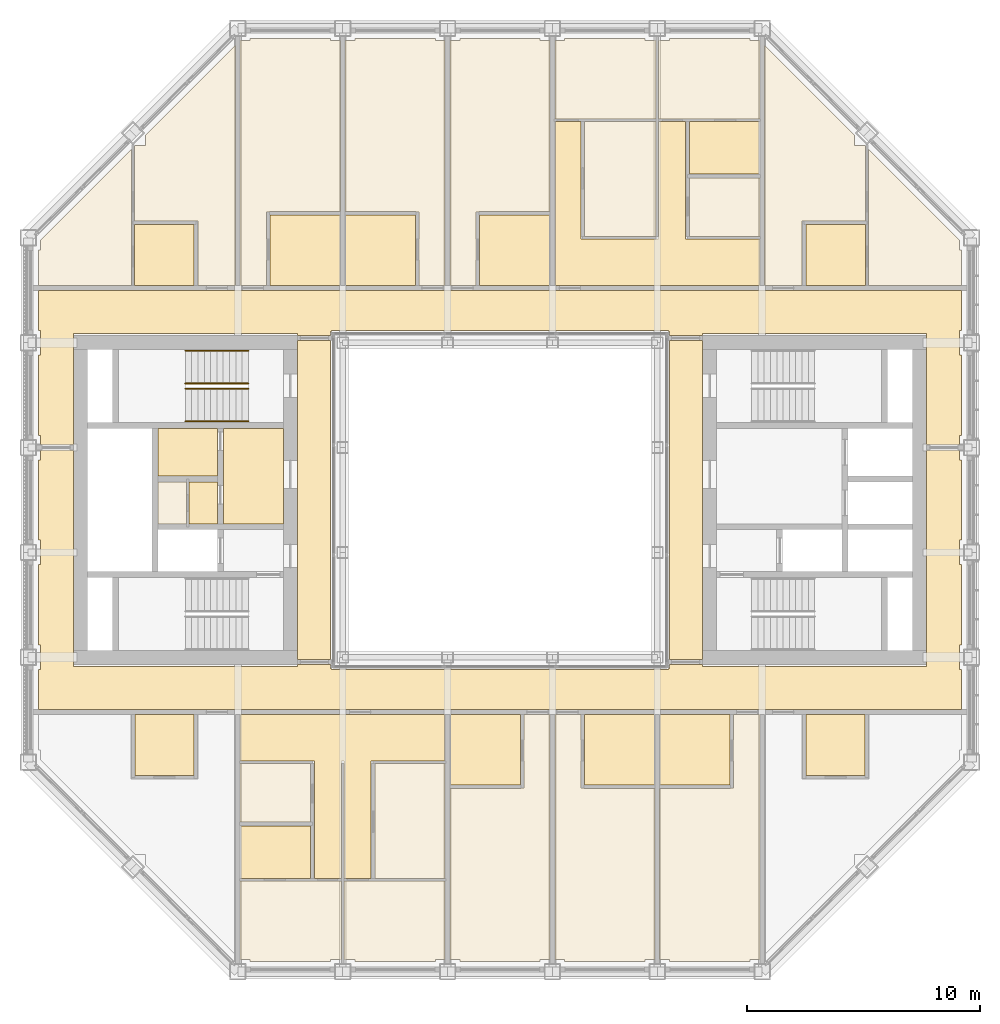
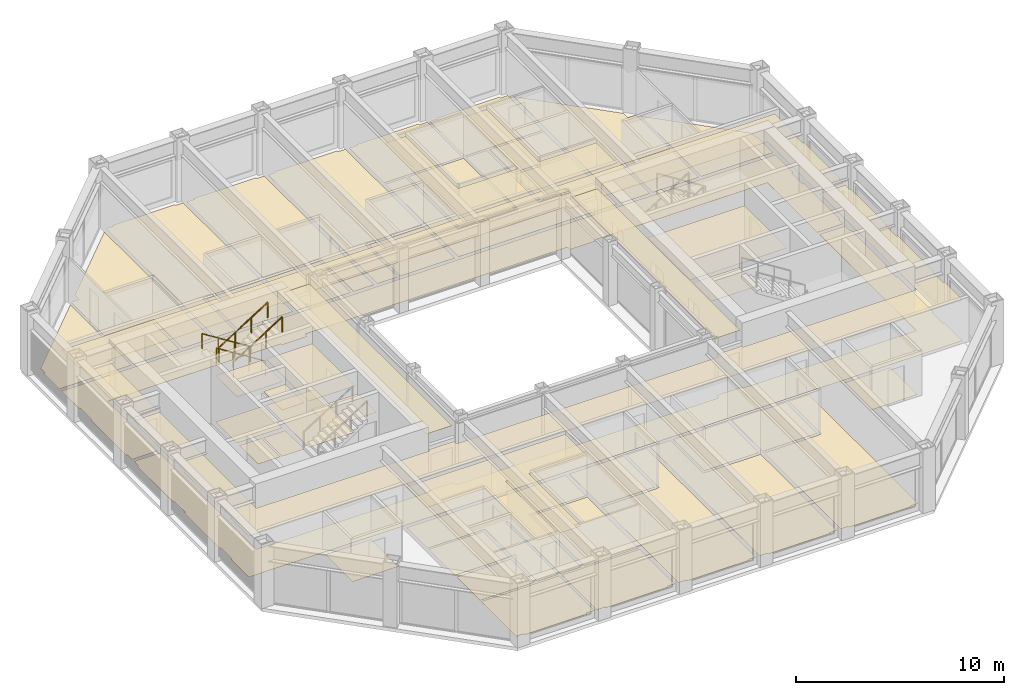
# One storey, part 16 of 18: 6 coverings, 4 railings.
"""IFC4 building model written with IfcOpenShell, lengths in metres."""

from ifc_helpers import new_model, si_unit, direction, frame, origin, origin_2d, place, context, subcontext, project, spatial, line, indexed_curve, circle, outline, extrude, material, layer, layer_set, type_object, element, save


model = new_model("IFC4")

# Units and contexts
model_context = context("Model", 3, precision=1e-05, world=origin(), true_north=direction((0.0, 1.0)))
body_context = subcontext(model_context, "Body", "Model", "MODEL_VIEW")
ifc_project = project(units=[si_unit("LENGTHUNIT", "METRE"), si_unit("AREAUNIT", "SQUARE_METRE"), si_unit("VOLUMEUNIT", "CUBIC_METRE"), si_unit("PLANEANGLEUNIT", "RADIAN"), si_unit("MASSUNIT", "GRAM", prefix="KILO")], contexts=[model_context])

# Site, building, storey
site_placement = place(None, origin())
site = spatial("IfcSite", under=ifc_project, at=site_placement, CompositionType="ELEMENT")
building_placement = place(site_placement, origin())
building = spatial("IfcBuilding", under=site, at=building_placement, Name="Msasa Ring Tower", CompositionType="ELEMENT")
storey_placement = place(building_placement, frame((0.0, 0.0, 223.300048828125)))
storey = spatial("IfcBuildingStorey", under=building, at=storey_placement, Name="L58", CompositionType="ELEMENT", Elevation=223.300048828125)

# Coverings
ifc_material_1 = material(Name="Gypsum plasterboard on a steel suspension grid", Category="steel")
ifc_layer_1 = layer(ifc_material_1, 0.014892578125)
ifc_layer_set_1 = layer_set([ifc_layer_1], Name="C1 SUSPENDED PLASTERBOARD CEILING 15")
covering_type_1 = type_object("IfcCoveringType", Name="C1 SUSPENDED PLASTERBOARD CEILING 15", PredefinedType="CEILING", material=ifc_layer_set_1)
covering_1_placement = place(storey_placement, frame((0.0, 0.0, 2.39990234375)))
element("IfcCovering", 1, at=covering_1_placement, inside=storey, type_object=covering_type_1, Name="Suspended Plasterboard Ceiling 15 circulation L58", PredefinedType="CEILING", context=body_context, shape_type="SweptSolid", body=[
    extrude(outline(indexed_curve([(8.699462890625, -7.150390625), (18.300537109375, -7.150390625), (18.300537109375, 2.1494140625), (19.724609375, 2.1494140625), (19.724609375, 1.724609375), (19.799560546875, 1.724609375), (19.799560546875, -1.724609375), (19.724609375, -1.724609375), (19.724609375, -2.775390625), (19.799560546875, -2.775390625), (19.799560546875, -6.224609375), (19.724609375, -6.224609375), (19.724609375, -7.275390625), (19.799560546875, -7.275390625), (19.799560546875, -8.99951171875), (-19.799560546875, -8.99951171875), (-19.799560546875, -7.275390625), (-19.724609375, -7.275390625), (-19.724609375, -6.224609375), (-19.799560546875, -6.224609375), (-19.799560546875, -2.775390625), (-19.724609375, -2.775390625), (-19.724609375, -1.724609375), (-19.799560546875, -1.724609375), (-19.799560546875, 1.724609375), (-19.724609375, 1.724609375), (-19.724609375, 2.1494140625), (-18.300537109375, 2.1494140625), (-18.300537109375, -7.150390625), (-8.699462890625, -7.150390625), (-8.699462890625, -7.050537109375), (-7.280029296875, -7.050537109375), (-7.280517578125, -7.23046875), (-7.22998046875, -7.23046875), (-7.22998046875, -7.280029296875), (7.22998046875, -7.280029296875), (7.22998046875, -7.23046875), (7.280517578125, -7.23046875), (7.280029296875, -7.050537109375), (8.699462890625, -7.050537109375)], segments=[line(1, 2, 3, 4, 5, 6, 7, 8, 9, 10, 11, 12, 13, 14, 15, 16, 17, 18, 19, 20, 21, 22, 23, 24, 25, 26, 27, 28, 29, 30, 31, 32, 33, 34, 35, 36, 37, 38, 39, 40, 1)], self_intersect=False)), origin(), (0.0, 0.0, 1.0), 0.01513671875),
    extrude(outline(indexed_curve([(19.799560546875, 7.275390625), (19.724609375, 7.275390625), (19.724609375, 6.224609375), (19.799560546875, 6.224609375), (19.799560546875, 2.775390625), (19.724609375, 2.775390625), (19.724609375, 2.3505859375), (18.300537109375, 2.3505859375), (18.300537109375, 7.150390625), (8.699462890625, 7.150390625), (8.699462890625, 7.050537109375), (7.280029296875, 7.050537109375), (7.280517578125, 7.23046875), (7.22998046875, 7.23046875), (7.22998046875, 7.280029296875), (-7.22998046875, 7.280029296875), (-7.22998046875, 7.23046875), (-7.280517578125, 7.23046875), (-7.280029296875, 7.050537109375), (-8.699462890625, 7.050537109375), (-8.699462890625, 7.150390625), (-18.300537109375, 7.150390625), (-18.300537109375, 2.3505859375), (-19.724609375, 2.3505859375), (-19.724609375, 2.775390625), (-19.799560546875, 2.775390625), (-19.799560546875, 6.224609375), (-19.724609375, 6.224609375), (-19.724609375, 7.275390625), (-19.799560546875, 7.275390625), (-19.799560546875, 8.99951171875), (19.799560546875, 8.99951171875)], segments=[line(1, 2, 3, 4, 5, 6, 7, 8, 9, 10, 11, 12, 13, 14, 15, 16, 17, 18, 19, 20, 21, 22, 23, 24, 25, 26, 27, 28, 29, 30, 31, 32, 1)], self_intersect=False)), origin(), (0.0, 0.0, 1.0), 0.01513671875),
    extrude(outline(indexed_curve([(-11.87451171875, -3.074462890625), (-11.87451171875, -1.275390625), (-9.300537109375, -1.275390625), (-9.300537109375, -3.074462890625)], segments=[line(1, 2, 3, 4, 1)], self_intersect=False)), origin(), (0.0, 0.0, 1.0), 0.01513671875),
    extrude(outline(indexed_curve([(-5.530517578125, -16.244384765625), (-6.689453125, -16.244384765625), (-6.689453125, -11.199462890625), (-6.810546875, -11.199462890625), (-6.810546875, -16.244384765625), (-7.969482421875, -16.244384765625), (-7.969482421875, -11.199462890625), (-11.1494140625, -11.199462890625), (-11.1494140625, -9.200439453125), (-2.3505859375, -9.200439453125), (-2.3505859375, -11.199462890625), (-5.530517578125, -11.199462890625)], segments=[line(1, 2, 3, 4, 5, 6, 7, 8, 9, 10, 11, 12, 1)], self_intersect=False)), origin(), (0.0, 0.0, 1.0), 0.01513671875),
    extrude(outline(indexed_curve([(3.469482421875, 16.244384765625), (3.469482421875, 11.199462890625), (6.810546875, 11.199462890625), (6.810546875, 16.244384765625), (7.969482421875, 16.244384765625), (7.969482421875, 11.199462890625), (11.1494140625, 11.199462890625), (11.1494140625, 9.200439453125), (2.3505859375, 9.200439453125), (2.3505859375, 16.244384765625)], segments=[line(1, 2, 3, 4, 5, 6, 7, 8, 9, 10, 1)], self_intersect=False)), origin(), (0.0, 0.0, 1.0), 0.01513671875),
    extrude(outline(indexed_curve([(9.300537109375, -3.074462890625), (9.300537109375, -1.275390625), (11.87451171875, -1.275390625), (11.87451171875, -3.074462890625)], segments=[line(1, 2, 3, 4, 1)], self_intersect=False)), origin(), (0.0, 0.0, 1.0), 0.01513671875),
    extrude(outline(indexed_curve([(9.300537109375, -1.0244140625), (9.300537109375, 3.074462890625), (14.674560546875, 3.074462890625), (14.674560546875, -1.0244140625)], segments=[line(1, 2, 3, 4, 1)], self_intersect=False)), origin(), (0.0, 0.0, 1.0), 0.01513671875),
])
covering_2_placement = place(storey_placement, frame((0.0, 0.0, 3.199951171875)))
element("IfcCovering", 2, at=covering_2_placement, inside=storey, type_object=covering_type_1, Name="Suspended Plasterboard Ceiling 15 public rooms L58", PredefinedType="CEILING", context=body_context, shape_type="SweptSolid", body=[
    extrude(outline(indexed_curve([(-7.280029296875, 6.849609375), (-7.280029296875, -6.849609375), (-8.699462890625, -6.849609375), (-8.699462890625, 6.849609375)], segments=[line(1, 2, 3, 4, 1)], self_intersect=False)), origin(), (0.0, 0.0, 1.0), 0.014892578125),
    extrude(outline(indexed_curve([(8.699462890625, 6.849609375), (8.699462890625, -6.849609375), (7.280029296875, -6.849609375), (7.280029296875, 6.849609375)], segments=[line(1, 2, 3, 4, 1)], self_intersect=False)), origin(), (0.0, 0.0, 1.0), 0.014892578125),
])
ifc_material_2 = material(Name="Mineral fibre ceiling tiles on an exposed steel grid", Category="steel")
ifc_layer_2 = layer(ifc_material_2, 0.02001953125)
ifc_layer_set_2 = layer_set([ifc_layer_2], Name="C3 ACOUSTIC MINERAL FIBRE TILE CEILING 20")
covering_type_2 = type_object("IfcCoveringType", Name="C3 ACOUSTIC MINERAL FIBRE TILE CEILING 20", PredefinedType="CEILING", material=ifc_layer_set_2)
covering_3_placement = place(storey_placement, frame((0.0, 0.0, 2.699951171875)))
element("IfcCovering", 3, at=covering_3_placement, inside=storey, type_object=covering_type_2, Name="Acoustic Mineral Fibre Tile Ceiling 20 L58", PredefinedType="CEILING", context=body_context, shape_type="SweptSolid", body=[
    extrude(outline(indexed_curve([(-12.12548828125, 1.025390625), (-14.674560546875, 1.025390625), (-14.674560546875, 3.074462890625), (-12.12548828125, 3.074462890625)], segments=[line(1, 2, 3, 4, 1)], self_intersect=False)), origin(), (0.0, 0.0, 1.0), 0.02001953125),
    extrude(outline(indexed_curve([(-12.12548828125, -1.0244140625), (-13.344482421875, -1.0244140625), (-13.344482421875, 0.7744140625), (-12.12548828125, 0.7744140625)], segments=[line(1, 2, 3, 4, 1)], self_intersect=False)), origin(), (0.0, 0.0, 1.0), 0.02001953125),
    extrude(outline(indexed_curve([(-9.300537109375, -1.0244140625), (-11.87451171875, -1.0244140625), (-11.87451171875, 3.074462890625), (-9.300537109375, 3.074462890625)], segments=[line(1, 2, 3, 4, 1)], self_intersect=False)), origin(), (0.0, 0.0, 1.0), 0.02001953125),
])
ifc_material_3 = material(Name="Wool-blend carpet on felt underlay", Category="textile")
ifc_layer_3 = layer(ifc_material_3, 0.011962890625)
ifc_layer_set_3 = layer_set([ifc_layer_3], Name="F2 CARPET ON UNDERLAY 12")
covering_type_3 = type_object("IfcCoveringType", Name="F2 CARPET ON UNDERLAY 12", PredefinedType="FLOORING", material=ifc_layer_set_3)
covering_4_placement = place(storey_placement, origin())
element("IfcCovering", 4, at=covering_4_placement, inside=storey, type_object=covering_type_3, Name="Carpet On Underlay 12 L58", PredefinedType="FLOORING", context=body_context, shape_type="SweptSolid", body=[
    extrude(outline(indexed_curve([(8.699462890625, -7.150390625), (18.300537109375, -7.150390625), (18.300537109375, 2.1494140625), (19.724609375, 2.1494140625), (19.724609375, 1.724609375), (19.799560546875, 1.724609375), (19.799560546875, -1.724609375), (19.724609375, -1.724609375), (19.724609375, -2.775390625), (19.799560546875, -2.775390625), (19.799560546875, -6.224609375), (19.724609375, -6.224609375), (19.724609375, -7.275390625), (19.799560546875, -7.275390625), (19.799560546875, -8.99951171875), (-19.799560546875, -8.99951171875), (-19.799560546875, -7.275390625), (-19.724609375, -7.275390625), (-19.724609375, -6.224609375), (-19.799560546875, -6.224609375), (-19.799560546875, -2.775390625), (-19.724609375, -2.775390625), (-19.724609375, -1.724609375), (-19.799560546875, -1.724609375), (-19.799560546875, 1.724609375), (-19.724609375, 1.724609375), (-19.724609375, 2.1494140625), (-18.300537109375, 2.1494140625), (-18.300537109375, -7.150390625), (-8.699462890625, -7.150390625), (-8.699462890625, -7.050537109375), (-7.280029296875, -7.050537109375), (-7.280517578125, -7.23046875), (-7.22998046875, -7.23046875), (-7.22998046875, -7.280029296875), (7.22998046875, -7.280029296875), (7.22998046875, -7.23046875), (7.280517578125, -7.23046875), (7.280029296875, -7.050537109375), (8.699462890625, -7.050537109375)], segments=[line(1, 2, 3, 4, 5, 6, 7, 8, 9, 10, 11, 12, 13, 14, 15, 16, 17, 18, 19, 20, 21, 22, 23, 24, 25, 26, 27, 28, 29, 30, 31, 32, 33, 34, 35, 36, 37, 38, 39, 40, 1)], self_intersect=False)), origin(), (0.0, 0.0, 1.0), 0.011962890625),
    extrude(outline(indexed_curve([(18.300537109375, 2.3505859375), (18.300537109375, 7.150390625), (8.699462890625, 7.150390625), (8.699462890625, 7.050537109375), (7.280029296875, 7.050537109375), (7.280517578125, 7.23046875), (7.22998046875, 7.23046875), (7.22998046875, 7.280029296875), (-7.22998046875, 7.280029296875), (-7.22998046875, 7.23046875), (-7.280517578125, 7.23046875), (-7.280029296875, 7.050537109375), (-8.699462890625, 7.050537109375), (-8.699462890625, 7.150390625), (-18.300537109375, 7.150390625), (-18.300537109375, 2.3505859375), (-19.724609375, 2.3505859375), (-19.724609375, 2.775390625), (-19.799560546875, 2.775390625), (-19.799560546875, 6.224609375), (-19.724609375, 6.224609375), (-19.724609375, 7.275390625), (-19.799560546875, 7.275390625), (-19.799560546875, 8.99951171875), (19.799560546875, 8.99951171875), (19.799560546875, 7.275390625), (19.724609375, 7.275390625), (19.724609375, 6.224609375), (19.799560546875, 6.224609375), (19.799560546875, 2.775390625), (19.724609375, 2.775390625), (19.724609375, 2.3505859375)], segments=[line(1, 2, 3, 4, 5, 6, 7, 8, 9, 10, 11, 12, 13, 14, 15, 16, 17, 18, 19, 20, 21, 22, 23, 24, 25, 26, 27, 28, 29, 30, 31, 32, 1)], self_intersect=False)), origin(), (0.0, 0.0, 1.0), 0.011962890625),
    extrude(outline(indexed_curve([(-19.799560546875, 10.724609375), (-19.724609375, 10.724609375), (-19.724609375, 11.138427734375), (-15.810546875, 15.052490234375), (-15.810546875, 9.200439453125), (-19.799560546875, 9.200439453125)], segments=[line(1, 2, 3, 4, 5, 6, 1)], self_intersect=False)), origin(), (0.0, 0.0, 1.0), 0.011962890625),
    extrude(outline(indexed_curve([(-12.969482421875, 9.200439453125), (-12.969482421875, 11.98046875), (-15.689453125, 11.98046875), (-15.689453125, 15.17333984375), (-15.638427734375, 15.224609375), (-15.224609375, 15.224609375), (-15.224609375, 15.638427734375), (-11.3505859375, 19.512451171875), (-11.3505859375, 9.200439453125)], segments=[line(1, 2, 3, 4, 5, 6, 7, 8, 9, 1)], self_intersect=False)), origin(), (0.0, 0.0, 1.0), 0.011962890625),
    extrude(outline(indexed_curve([(-13.45556640625, -1.0244140625), (-14.674560546875, -1.0244140625), (-14.674560546875, 0.7744140625), (-13.45556640625, 0.7744140625)], segments=[line(1, 2, 3, 4, 1)], self_intersect=False)), origin(), (0.0, 0.0, 1.0), 0.011962890625),
    extrude(outline(indexed_curve([(-6.810546875, -16.35546875), (-6.810546875, -19.724609375), (-7.275390625, -19.724609375), (-7.275390625, -19.799560546875), (-10.724609375, -19.799560546875), (-10.724609375, -19.724609375), (-11.138427734375, -19.724609375), (-11.1494140625, -19.71337890625), (-11.1494140625, -16.35546875)], segments=[line(1, 2, 3, 4, 5, 6, 7, 8, 9, 1)], self_intersect=False)), origin(), (0.0, 0.0, 1.0), 0.011962890625),
    extrude(outline(indexed_curve([(-6.810546875, -16.244384765625), (-7.969482421875, -16.244384765625), (-7.969482421875, -11.199462890625), (-11.1494140625, -11.199462890625), (-11.1494140625, -9.200439453125), (-2.3505859375, -9.200439453125), (-2.3505859375, -11.199462890625), (-5.530517578125, -11.199462890625), (-5.530517578125, -16.244384765625), (-6.689453125, -16.244384765625), (-6.689453125, -11.199462890625), (-6.810546875, -11.199462890625)], segments=[line(1, 2, 3, 4, 5, 6, 7, 8, 9, 10, 11, 12, 1)], self_intersect=False)), origin(), (0.0, 0.0, 1.0), 0.011962890625),
    extrude(outline(indexed_curve([(-8.130615234375, -13.819580078125), (-11.1494140625, -13.819580078125), (-11.1494140625, -11.305419921875), (-8.130615234375, -11.305419921875)], segments=[line(1, 2, 3, 4, 1)], self_intersect=False)), origin(), (0.0, 0.0, 1.0), 0.011962890625),
    extrude(outline(indexed_curve([(-11.1494140625, 19.71337890625), (-11.138427734375, 19.724609375), (-10.724609375, 19.724609375), (-10.724609375, 19.799560546875), (-7.275390625, 19.799560546875), (-7.275390625, 19.724609375), (-6.8505859375, 19.724609375), (-6.8505859375, 12.37548828125), (-9.89990234375, 12.37548828125), (-9.89990234375, 12.3505859375), (-10.025390625, 12.35009765625), (-10.025390625, 9.200439453125), (-11.1494140625, 9.200439453125)], segments=[line(1, 2, 3, 4, 5, 6, 7, 8, 9, 10, 11, 12, 13, 1)], self_intersect=False)), origin(), (0.0, 0.0, 1.0), 0.011962890625),
    extrude(outline(indexed_curve([(-6.224609375, -19.799560546875), (-6.224609375, -19.724609375), (-6.689453125, -19.724609375), (-6.689453125, -16.35546875), (-2.3505859375, -16.35546875), (-2.3505859375, -19.724609375), (-2.775390625, -19.724609375), (-2.775390625, -19.799560546875)], segments=[line(1, 2, 3, 4, 5, 6, 7, 8, 1)], self_intersect=False)), origin(), (0.0, 0.0, 1.0), 0.011962890625),
    extrude(outline(indexed_curve([(-2.3505859375, 9.200439453125), (-3.474609375, 9.200439453125), (-3.474609375, 12.35009765625), (-3.60009765625, 12.3505859375), (-3.60009765625, 12.37548828125), (-6.6494140625, 12.37548828125), (-6.6494140625, 19.724609375), (-6.224609375, 19.724609375), (-6.224609375, 19.799560546875), (-2.775390625, 19.799560546875), (-2.775390625, 19.724609375), (-2.3505859375, 19.724609375)], segments=[line(1, 2, 3, 4, 5, 6, 7, 8, 9, 10, 11, 12, 1)], self_intersect=False)), origin(), (0.0, 0.0, 1.0), 0.011962890625),
    extrude(outline(indexed_curve([(2.1494140625, -19.724609375), (1.724609375, -19.724609375), (1.724609375, -19.799560546875), (-1.724609375, -19.799560546875), (-1.724609375, -19.724609375), (-2.1494140625, -19.724609375), (-2.1494140625, -12.37548828125), (0.89990234375, -12.37548828125), (0.89990234375, -12.3505859375), (1.025390625, -12.35009765625), (1.025390625, -9.200439453125), (2.1494140625, -9.200439453125)], segments=[line(1, 2, 3, 4, 5, 6, 7, 8, 9, 10, 11, 12, 1)], self_intersect=False)), origin(), (0.0, 0.0, 1.0), 0.011962890625),
    extrude(outline(indexed_curve([(-2.1494140625, 19.724609375), (-1.724609375, 19.724609375), (-1.724609375, 19.799560546875), (1.724609375, 19.799560546875), (1.724609375, 19.724609375), (2.1494140625, 19.724609375), (2.1494140625, 12.37548828125), (-0.89990234375, 12.37548828125), (-0.89990234375, 12.3505859375), (-1.025390625, 12.35009765625), (-1.025390625, 9.200439453125), (-2.1494140625, 9.200439453125)], segments=[line(1, 2, 3, 4, 5, 6, 7, 8, 9, 10, 11, 12, 1)], self_intersect=False)), origin(), (0.0, 0.0, 1.0), 0.011962890625),
    extrude(outline(indexed_curve([(6.810546875, 16.244384765625), (7.969482421875, 16.244384765625), (7.969482421875, 11.199462890625), (11.1494140625, 11.199462890625), (11.1494140625, 9.200439453125), (2.3505859375, 9.200439453125), (2.3505859375, 16.244384765625), (3.469482421875, 16.244384765625), (3.469482421875, 11.199462890625), (6.810546875, 11.199462890625)], segments=[line(1, 2, 3, 4, 5, 6, 7, 8, 9, 10, 1)], self_intersect=False)), origin(), (0.0, 0.0, 1.0), 0.011962890625),
    extrude(outline(indexed_curve([(6.224609375, 19.799560546875), (6.224609375, 19.724609375), (6.689453125, 19.724609375), (6.689453125, 16.35546875), (2.3505859375, 16.35546875), (2.3505859375, 19.724609375), (2.775390625, 19.724609375), (2.775390625, 19.799560546875)], segments=[line(1, 2, 3, 4, 5, 6, 7, 8, 1)], self_intersect=False)), origin(), (0.0, 0.0, 1.0), 0.011962890625),
    extrude(outline(indexed_curve([(2.3505859375, -9.200439453125), (3.474609375, -9.200439453125), (3.474609375, -12.35009765625), (3.60009765625, -12.3505859375), (3.60009765625, -12.37548828125), (6.6494140625, -12.37548828125), (6.6494140625, -19.724609375), (6.224609375, -19.724609375), (6.224609375, -19.799560546875), (2.775390625, -19.799560546875), (2.775390625, -19.724609375), (2.3505859375, -19.724609375)], segments=[line(1, 2, 3, 4, 5, 6, 7, 8, 9, 10, 11, 12, 1)], self_intersect=False)), origin(), (0.0, 0.0, 1.0), 0.011962890625),
    extrude(outline(indexed_curve([(6.810546875, 19.724609375), (7.275390625, 19.724609375), (7.275390625, 19.799560546875), (10.724609375, 19.799560546875), (10.724609375, 19.724609375), (11.138427734375, 19.724609375), (11.1494140625, 19.71337890625), (11.1494140625, 16.35546875), (6.810546875, 16.35546875)], segments=[line(1, 2, 3, 4, 5, 6, 7, 8, 9, 1)], self_intersect=False)), origin(), (0.0, 0.0, 1.0), 0.011962890625),
    extrude(outline(indexed_curve([(11.1494140625, -9.200439453125), (11.1494140625, -19.71337890625), (11.138427734375, -19.724609375), (10.724609375, -19.724609375), (10.724609375, -19.799560546875), (7.275390625, -19.799560546875), (7.275390625, -19.724609375), (6.8505859375, -19.724609375), (6.8505859375, -12.37548828125), (9.89990234375, -12.37548828125), (9.89990234375, -12.3505859375), (10.025390625, -12.35009765625), (10.025390625, -9.200439453125)], segments=[line(1, 2, 3, 4, 5, 6, 7, 8, 9, 10, 11, 12, 13, 1)], self_intersect=False)), origin(), (0.0, 0.0, 1.0), 0.011962890625),
    extrude(outline(indexed_curve([(11.1494140625, 13.819580078125), (11.1494140625, 11.305419921875), (8.130615234375, 11.305419921875), (8.130615234375, 13.819580078125)], segments=[line(1, 2, 3, 4, 1)], self_intersect=False)), origin(), (0.0, 0.0, 1.0), 0.011962890625),
    extrude(outline(indexed_curve([(15.224609375, 15.638427734375), (15.224609375, 15.224609375), (15.638427734375, 15.224609375), (15.689453125, 15.17333984375), (15.689453125, 11.98046875), (12.969482421875, 11.98046875), (12.969482421875, 9.200439453125), (11.3505859375, 9.200439453125), (11.3505859375, 19.512451171875)], segments=[line(1, 2, 3, 4, 5, 6, 7, 8, 9, 1)], self_intersect=False)), origin(), (0.0, 0.0, 1.0), 0.011962890625),
    extrude(outline(indexed_curve([(19.799560546875, 9.200439453125), (15.810546875, 9.200439453125), (15.810546875, 15.052490234375), (19.724609375, 11.138427734375), (19.724609375, 10.724609375), (19.799560546875, 10.724609375)], segments=[line(1, 2, 3, 4, 5, 6, 1)], self_intersect=False)), origin(), (0.0, 0.0, 1.0), 0.011962890625),
])
ifc_material_4 = material(Name="Porcelain floor tiles in adhesive", Category="ceramic")
ifc_layer_4 = layer(ifc_material_4, 0.010009765625)
ifc_layer_set_4 = layer_set([ifc_layer_4], Name="F4 PORCELAIN TILE ON ADHESIVE 10")
covering_type_4 = type_object("IfcCoveringType", Name="F4 PORCELAIN TILE ON ADHESIVE 10", PredefinedType="FLOORING", material=ifc_layer_set_4)
covering_5_placement = place(storey_placement, origin())
element("IfcCovering", 5, at=covering_5_placement, inside=storey, type_object=covering_type_4, Name="Porcelain Tile On Adhesive 10 L58", PredefinedType="FLOORING", context=body_context, shape_type="SweptSolid", body=[
    extrude(outline(indexed_curve([(-15.689453125, 11.819580078125), (-13.130615234375, 11.819580078125), (-13.130615234375, 9.200439453125), (-15.689453125, 9.200439453125)], segments=[line(1, 2, 3, 4, 1)], self_intersect=False)), origin(), (0.0, 0.0, 1.0), 0.010009765625),
    extrude(outline(indexed_curve([(-13.130615234375, -9.200439453125), (-13.130615234375, -11.819580078125), (-15.66943359375, -11.819580078125), (-15.66943359375, -9.200439453125)], segments=[line(1, 2, 3, 4, 1)], self_intersect=False)), origin(), (0.0, 0.0, 1.0), 0.010009765625),
    extrude(outline(indexed_curve([(-8.130615234375, -13.98046875), (-8.130615234375, -16.244384765625), (-11.1494140625, -16.244384765625), (-11.1494140625, -13.98046875)], segments=[line(1, 2, 3, 4, 1)], self_intersect=False)), origin(), (0.0, 0.0, 1.0), 0.010009765625),
    extrude(outline(indexed_curve([(-9.87451171875, 9.200439453125), (-9.87451171875, 12.224609375), (-6.8505859375, 12.224609375), (-6.8505859375, 9.200439453125)], segments=[line(1, 2, 3, 4, 1)], self_intersect=False)), origin(), (0.0, 0.0, 1.0), 0.010009765625),
    extrude(outline(indexed_curve([(-6.6494140625, 9.200439453125), (-6.6494140625, 12.224609375), (-3.62548828125, 12.224609375), (-3.62548828125, 9.200439453125)], segments=[line(1, 2, 3, 4, 1)], self_intersect=False)), origin(), (0.0, 0.0, 1.0), 0.010009765625),
    extrude(outline(indexed_curve([(0.87451171875, -9.200439453125), (0.87451171875, -12.224609375), (-2.1494140625, -12.224609375), (-2.1494140625, -9.200439453125)], segments=[line(1, 2, 3, 4, 1)], self_intersect=False)), origin(), (0.0, 0.0, 1.0), 0.010009765625),
    extrude(outline(indexed_curve([(2.1494140625, 9.200439453125), (-0.87451171875, 9.200439453125), (-0.87451171875, 12.224609375), (2.1494140625, 12.224609375)], segments=[line(1, 2, 3, 4, 1)], self_intersect=False)), origin(), (0.0, 0.0, 1.0), 0.010009765625),
    extrude(outline(indexed_curve([(6.6494140625, -9.200439453125), (6.6494140625, -12.224609375), (3.62548828125, -12.224609375), (3.62548828125, -9.200439453125)], segments=[line(1, 2, 3, 4, 1)], self_intersect=False)), origin(), (0.0, 0.0, 1.0), 0.010009765625),
    extrude(outline(indexed_curve([(9.87451171875, -9.200439453125), (9.87451171875, -12.224609375), (6.8505859375, -12.224609375), (6.8505859375, -9.200439453125)], segments=[line(1, 2, 3, 4, 1)], self_intersect=False)), origin(), (0.0, 0.0, 1.0), 0.010009765625),
    extrude(outline(indexed_curve([(11.1494140625, 16.244384765625), (11.1494140625, 13.98046875), (8.130615234375, 13.98046875), (8.130615234375, 16.244384765625)], segments=[line(1, 2, 3, 4, 1)], self_intersect=False)), origin(), (0.0, 0.0, 1.0), 0.010009765625),
    extrude(outline(indexed_curve([(15.66943359375, -9.200439453125), (15.66943359375, -11.819580078125), (13.130615234375, -11.819580078125), (13.130615234375, -9.200439453125)], segments=[line(1, 2, 3, 4, 1)], self_intersect=False)), origin(), (0.0, 0.0, 1.0), 0.010009765625),
    extrude(outline(indexed_curve([(13.130615234375, 11.819580078125), (15.689453125, 11.819580078125), (15.689453125, 9.200439453125), (13.130615234375, 9.200439453125)], segments=[line(1, 2, 3, 4, 1)], self_intersect=False)), origin(), (0.0, 0.0, 1.0), 0.010009765625),
])
ifc_material_5 = material(Name="Welded vinyl safety sheet flooring", Category="vinyl")
ifc_layer_5 = layer(ifc_material_5, 0.0029296875)
ifc_layer_set_5 = layer_set([ifc_layer_5], Name="F5 RESILIENT SHEET FLOORING 3")
covering_type_5 = type_object("IfcCoveringType", Name="F5 RESILIENT SHEET FLOORING 3", PredefinedType="FLOORING", material=ifc_layer_set_5)
covering_6_placement = place(storey_placement, origin())
element("IfcCovering", 6, at=covering_6_placement, inside=storey, type_object=covering_type_5, Name="Resilient Sheet Flooring 3 L58", PredefinedType="FLOORING", context=body_context, shape_type="SweptSolid", body=[
    extrude(outline(indexed_curve([(-14.674560546875, 3.074462890625), (-12.12548828125, 3.074462890625), (-12.12548828125, 1.025390625), (-14.674560546875, 1.025390625)], segments=[line(1, 2, 3, 4, 1)], self_intersect=False)), origin(), (0.0, 0.0, 1.0), 0.0029296875),
    extrude(outline(indexed_curve([(-13.344482421875, -1.0244140625), (-13.344482421875, 0.7744140625), (-12.12548828125, 0.7744140625), (-12.12548828125, -1.0244140625)], segments=[line(1, 2, 3, 4, 1)], self_intersect=False)), origin(), (0.0, 0.0, 1.0), 0.0029296875),
    extrude(outline(indexed_curve([(-11.87451171875, -1.0244140625), (-11.87451171875, 3.074462890625), (-9.300537109375, 3.074462890625), (-9.300537109375, -1.0244140625)], segments=[line(1, 2, 3, 4, 1)], self_intersect=False)), origin(), (0.0, 0.0, 1.0), 0.0029296875),
    extrude(outline(indexed_curve([(-5.369384765625, -16.244384765625), (-5.369384765625, -11.305419921875), (-2.3505859375, -11.305419921875), (-2.3505859375, -16.244384765625)], segments=[line(1, 2, 3, 4, 1)], self_intersect=False)), origin(), (0.0, 0.0, 1.0), 0.0029296875),
    extrude(outline(indexed_curve([(3.630615234375, 16.244384765625), (6.689453125, 16.244384765625), (6.689453125, 11.305419921875), (3.630615234375, 11.305419921875)], segments=[line(1, 2, 3, 4, 1)], self_intersect=False)), origin(), (0.0, 0.0, 1.0), 0.0029296875),
])

# Railings
ifc_material_6 = material(Name="Stainless steel", Category="steel")
railing_type = type_object("IfcRailingType", Name="HR1 HANDRAIL 900", PredefinedType="HANDRAIL", material=ifc_material_6)
for number, where, name in (
    (7, (-10.800048828125, 5.0, 0.17041015625), "Handrail stair SWB L58 1"),
    (8, (-10.800048828125, 6.39990234375, 0.17041015625), "Handrail stair SWB L58 2"),
):
    element("IfcRailing", number, at=place(storey_placement, frame(where)), inside=storey, type_object=railing_type, Name=name, PredefinedType="HANDRAIL", context=body_context, shape_type="SweptSolid", body=[
        extrude(circle(Radius=0.02392578125, at=origin_2d()), frame((0.0, 0.0, 0.8759765625), z_axis=(-0.845579735284, 0.0, 0.533849146555), x_axis=(0.0, -1.0, 0.0)), (0.0, 0.0, 1.0), 3.193115234375),
        extrude(circle(Radius=0.02099609375, at=origin_2d()), origin(), (0.0, 0.0, 1.0), 0.851806640625),
        extrude(circle(Radius=0.02099609375, at=origin_2d()), frame((-0.89990234375, 0.0, 0.568115234375)), (0.0, 0.0, 1.0), 0.851806640625),
        extrude(circle(Radius=0.02099609375, at=origin_2d()), frame((-1.800048828125, 0.0, 1.136474609375)), (0.0, 0.0, 1.0), 0.851806640625),
        extrude(circle(Radius=0.02099609375, at=origin_2d()), frame((-2.699951171875, 0.0, 1.70458984375)), (0.0, 0.0, 1.0), 0.851806640625),
    ])
for number, where, name in (
    (9, (-13.5, 3.375, 2.04541015625), "Handrail stair SWB L58 3"),
    (10, (-13.5, 4.77490234375, 2.04541015625), "Handrail stair SWB L58 4"),
):
    element("IfcRailing", number, at=place(storey_placement, frame(where)), inside=storey, type_object=railing_type, Name=name, PredefinedType="HANDRAIL", context=body_context, shape_type="SweptSolid", body=[
        extrude(circle(Radius=0.02392578125, at=origin_2d()), frame((0.0, 0.0, 0.8759765625), z_axis=(0.845579735284, 0.0, 0.533849146555), x_axis=(0.0, 1.0, 0.0)), (0.0, 0.0, 1.0), 3.193115234375),
        extrude(circle(Radius=0.02099609375, at=origin_2d()), origin(), (0.0, 0.0, 1.0), 0.851806640625),
        extrude(circle(Radius=0.02099609375, at=origin_2d()), frame((0.89990234375, 0.0, 0.568115234375)), (0.0, 0.0, 1.0), 0.851806640625),
        extrude(circle(Radius=0.02099609375, at=origin_2d()), frame((1.800048828125, 0.0, 1.136474609375)), (0.0, 0.0, 1.0), 0.851806640625),
        extrude(circle(Radius=0.02099609375, at=origin_2d()), frame((2.699951171875, 0.0, 1.70458984375)), (0.0, 0.0, 1.0), 0.851806640625),
    ])

save(model, "model.ifc")
